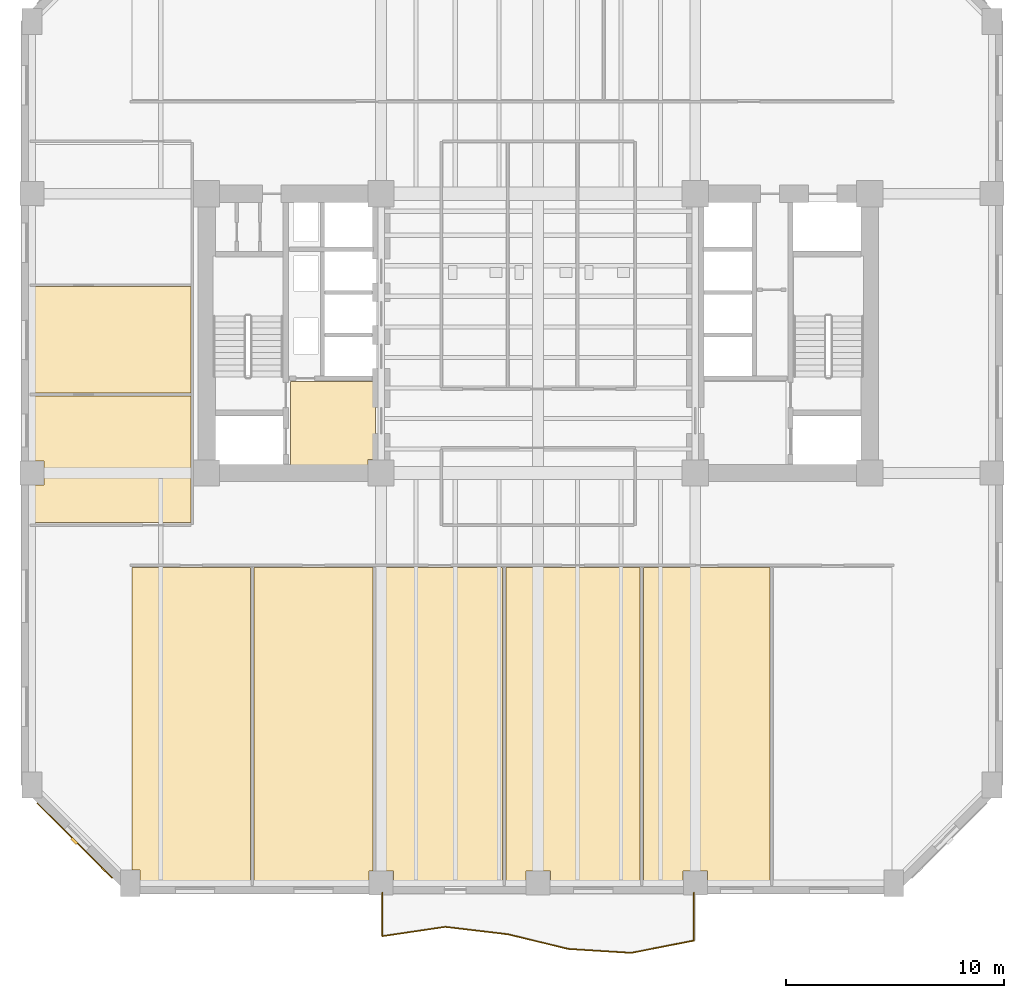
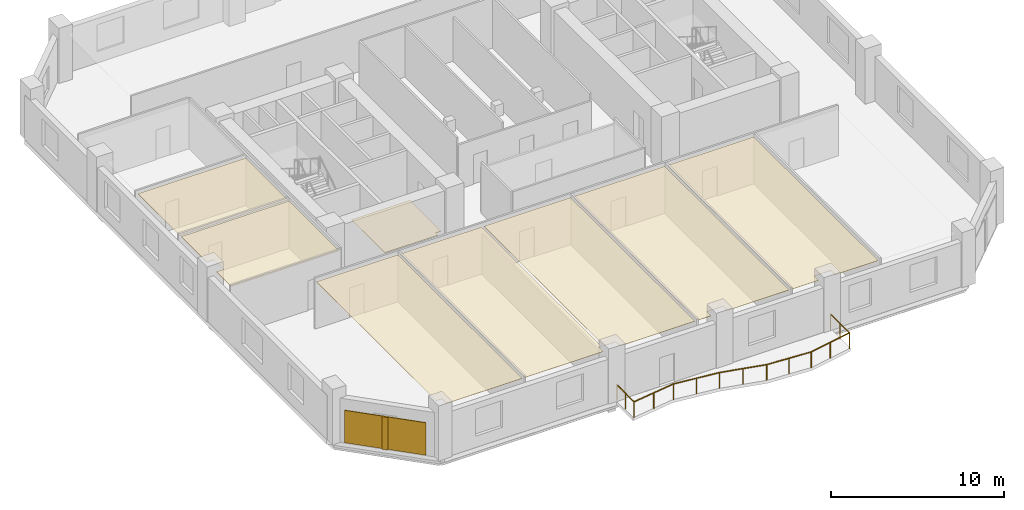
# One storey, part 6 of 10: 9 coverings, 1 railing, 1 shading device.
"""IFC4 building model written with IfcOpenShell, lengths in metres."""

from ifc_helpers import new_model, si_unit, direction, frame, origin, origin_2d, place, context, subcontext, project, spatial, polyline, rectangle, circle, outline, extrude, material, layer, layer_set, type_object, element, save


model = new_model("IFC4")

# Units and contexts
model_context = context("Model", 3, precision=1e-05, world=origin(), true_north=direction((0.0, 1.0)))
body_context = subcontext(model_context, "Body", "Model", "MODEL_VIEW")
ifc_project = project(units=[si_unit("LENGTHUNIT", "METRE"), si_unit("AREAUNIT", "SQUARE_METRE"), si_unit("VOLUMEUNIT", "CUBIC_METRE"), si_unit("PLANEANGLEUNIT", "RADIAN"), si_unit("MASSUNIT", "GRAM", prefix="KILO")], contexts=[model_context])

# Site, building, storey
site_placement = place(None, origin())
site = spatial("IfcSite", under=ifc_project, at=site_placement, CompositionType="ELEMENT")
building_placement = place(site_placement, origin())
building = spatial("IfcBuilding", under=site, at=building_placement, Name="Kranthara Brick Stack", CompositionType="ELEMENT")
storey_placement = place(building_placement, frame((0.0, 0.0, 39.89990234375)))
storey = spatial("IfcBuildingStorey", under=building, at=storey_placement, Name="L09", CompositionType="ELEMENT", Elevation=39.89990234375)

# Coverings
ifc_material_1 = material(Name="Perforated mineral-fibre acoustic ceiling tile", Category="other")
ifc_layer_1 = layer(ifc_material_1, 0.02490234375)
ifc_layer_set_1 = layer_set([ifc_layer_1], Name="Perforated mineral-fibre acoustic ceiling tile")
covering_type_1 = type_object("IfcCoveringType", Name="COV-CEIL-ACOUSTIC", PredefinedType="CEILING", material=ifc_layer_set_1)
covering_1_placement = place(storey_placement, frame((0.0, 0.0, 3.330078125)))
element("IfcCovering", 1, at=covering_1_placement, inside=storey, type_object=covering_type_1, Name="L09 L09 Executive Cellular Office 1 Acoustic Ceiling", PredefinedType="CEILING", context=body_context, shape_type="SweptSolid", body=[
    extrude(outline(polyline([(9.3798828125, 16.47998046875), (14.820068359375, 16.47998046875), (14.820068359375, 2.070068359375), (9.760009765625, 2.070068359375), (9.760009765625, 2.610107421875), (9.3798828125, 2.610107421875), (9.3798828125, 16.47998046875)])), origin(), (0.0, 0.0, 1.0), 0.02490234375),
])
covering_2_placement = place(storey_placement, frame((0.0, 0.0, 3.330078125)))
element("IfcCovering", 2, at=covering_2_placement, inside=storey, type_object=covering_type_1, Name="L09 L09 Executive Cellular Office 2 Acoustic Ceiling", PredefinedType="CEILING", context=body_context, shape_type="SweptSolid", body=[
    extrude(outline(polyline([(14.97998046875, 2.070068359375), (14.97998046875, 16.47998046875), (20.419921875, 16.47998046875), (20.419921875, 2.56005859375), (20.239990234375, 2.56005859375), (20.239990234375, 2.070068359375), (14.97998046875, 2.070068359375)])), origin(), (0.0, 0.0, 1.0), 0.02490234375),
])
covering_3_placement = place(storey_placement, frame((0.0, 0.0, 3.330078125)))
element("IfcCovering", 3, at=covering_3_placement, inside=storey, type_object=covering_type_1, Name="L09 L09 Meeting Room 3 Acoustic Ceiling", PredefinedType="CEILING", context=body_context, shape_type="SweptSolid", body=[
    extrude(outline(polyline([(20.580078125, 16.47998046875), (26.3701171875, 16.47998046875), (26.3701171875, 2.070068359375), (21.360107421875, 2.070068359375), (21.360107421875, 2.56005859375), (20.580078125, 2.56005859375), (20.580078125, 16.47998046875)])), origin(), (0.0, 0.0, 1.0), 0.02490234375),
])
covering_4_placement = place(storey_placement, frame((0.0, 0.0, 3.330078125)))
element("IfcCovering", 4, at=covering_4_placement, inside=storey, type_object=covering_type_1, Name="L09 L09 Meeting Room 4 Acoustic Ceiling", PredefinedType="CEILING", context=body_context, shape_type="SweptSolid", body=[
    extrude(outline(polyline([(26.530029296875, 2.070068359375), (26.530029296875, 16.47998046875), (32.669921875, 16.47998046875), (32.669921875, 2.070068359375), (28.56005859375, 2.070068359375), (28.56005859375, 2.56005859375), (27.43994140625, 2.56005859375), (27.43994140625, 2.070068359375), (26.530029296875, 2.070068359375)])), origin(), (0.0, 0.0, 1.0), 0.02490234375),
])
covering_5_placement = place(storey_placement, frame((0.0, 0.0, 3.330078125)))
element("IfcCovering", 5, at=covering_5_placement, inside=storey, type_object=covering_type_1, Name="L09 L09 Meeting Room 5 Acoustic Ceiling", PredefinedType="CEILING", context=body_context, shape_type="SweptSolid", body=[
    extrude(outline(polyline([(32.830078125, 2.070068359375), (32.830078125, 16.47998046875), (38.6201171875, 16.47998046875), (38.6201171875, 2.070068359375), (35.760009765625, 2.070068359375), (35.760009765625, 2.56005859375), (34.639892578125, 2.56005859375), (34.639892578125, 2.070068359375), (32.830078125, 2.070068359375)])), origin(), (0.0, 0.0, 1.0), 0.02490234375),
])
covering_6_placement = place(storey_placement, frame((0.0, 0.0, 3.330078125)))
element("IfcCovering", 6, at=covering_6_placement, inside=storey, type_object=covering_type_1, Name="L09 L09 West Executive Office 1 Acoustic Ceiling", PredefinedType="CEILING", context=body_context, shape_type="SweptSolid", body=[
    extrude(outline(polyline([(4.8701171875, 24.340087890625), (12.080078125, 24.340087890625), (12.080078125, 18.5400390625), (4.8701171875, 18.5400390625), (4.8701171875, 20.239990234375), (5.360107421875, 20.239990234375), (5.360107421875, 21.360107421875), (4.8701171875, 21.360107421875), (4.8701171875, 24.340087890625)])), origin(), (0.0, 0.0, 1.0), 0.02490234375),
])
covering_7_placement = place(storey_placement, frame((0.0, 0.0, 3.330078125)))
element("IfcCovering", 7, at=covering_7_placement, inside=storey, type_object=covering_type_1, Name="L09 L09 West Executive Office 2 Acoustic Ceiling", PredefinedType="CEILING", context=body_context, shape_type="SweptSolid", body=[
    extrude(outline(polyline([(12.080078125, 24.4599609375), (12.080078125, 29.340087890625), (4.8701171875, 29.340087890625), (4.8701171875, 24.4599609375), (12.080078125, 24.4599609375)])), origin(), (0.0, 0.0, 1.0), 0.02490234375),
])
ifc_material_2 = material(Name="Warm buff kiln-fired brick slip rainscreen", Category="masonry")
ifc_layer_2 = layer(ifc_material_2, 0.044921875)
ifc_layer_set_2 = layer_set([ifc_layer_2], Name="Warm buff kiln-fired brick slip rainscreen")
covering_type_2 = type_object("IfcCoveringType", Name="COV-CLAD-BRICK", PredefinedType="CLADDING", material=ifc_layer_set_2)
covering_8_placement = place(storey_placement, frame((6.756591796875, 3.95654296875, 0.05029296875), z_axis=(0.0, 0.0, 1.0), x_axis=(-0.707106781187, 0.707106781187, 0.0)))
element("IfcCovering", 8, at=covering_8_placement, inside=storey, type_object=covering_type_2, Name="L09 Chamfer Brick Rainscreen Cladding SW", PredefinedType="CLADDING", context=body_context, shape_type="SweptSolid", body=[
    extrude(rectangle(XDim=4.876953125, YDim=0.044921875, at=origin_2d()), origin(), (0.0, 0.0, 1.0), 2.300048828125),
])
ifc_material_3 = material(Name="Honed terrazzo and porcelain floor finish", Category="stone")
ifc_layer_3 = layer(ifc_material_3, 0.030029296875)
ifc_layer_set_3 = layer_set([ifc_layer_3], Name="Honed terrazzo and porcelain floor finish")
covering_type_3 = type_object("IfcCoveringType", Name="COV-FLOR-STONE", PredefinedType="FLOORING", material=ifc_layer_set_3)
covering_9_placement = place(storey_placement, origin())
element("IfcCovering", 9, at=covering_9_placement, inside=storey, type_object=covering_type_3, Name="L09 Lift Lobby Stone Flooring", PredefinedType="FLOORING", context=body_context, shape_type="SweptSolid", body=[
    extrude(outline(polyline([(16.64990234375, 21.14990234375), (16.64990234375, 25.0), (20.550048828125, 25.0), (20.550048828125, 21.409912109375), (20.18994140625, 21.409912109375), (20.18994140625, 21.14990234375), (16.64990234375, 21.14990234375)])), origin(), (0.0, 0.0, 1.0), 0.030029296875),
])

# Railing
ifc_material_4 = material(Name="Bronze anodised aluminium and laminated glass balustrade", Category="aluminium")
railing_type = type_object("IfcRailingType", Name="RL-BALC-1120", PredefinedType="BALUSTRADE", material=ifc_material_4)
railing_placement = place(storey_placement, frame((35.139892578125, 1.56005859375, 0.0)))
element("IfcRailing", 10, at=railing_placement, inside=storey, type_object=railing_type, Name="L09 South Rippling Balcony Balustrade", PredefinedType="BALUSTRADE", context=body_context, shape_type="SweptSolid", body=[
    extrude(circle(Radius=0.02392578125, at=origin_2d()), frame((0.0, 0.0, 1.09619140625), z_axis=(0.000111433028, -0.999999993791, 0.0), x_axis=(0.999999993791, 0.000111433028, 0.0)), (0.0, 0.0, 1.0), 2.19091796875),
    extrude(circle(Radius=0.02392578125, at=origin_2d()), frame((0.000244140625, -2.19091796875, 1.09619140625), z_axis=(-0.981385492835, -0.192048208667, 0.0), x_axis=(0.192048208667, -0.981385492835, 0.0)), (0.0, 0.0, 1.0), 2.932861328125),
    extrude(circle(Radius=0.02392578125, at=origin_2d()), frame((-2.8779296875, -2.754150390625, 1.09619140625), z_axis=(-0.998058846195, 0.062277921713, 0.0), x_axis=(-0.062277921713, -0.998058846195, 0.0)), (0.0, 0.0, 1.0), 2.87744140625),
    extrude(circle(Radius=0.02392578125, at=origin_2d()), frame((-5.749755859375, -2.574951171875, 1.09619140625), z_axis=(-0.971923726442, 0.235296132522, 0.0), x_axis=(-0.235296132522, -0.971923726442, 0.0)), (0.0, 0.0, 1.0), 2.851318359375),
    extrude(circle(Radius=0.02392578125, at=origin_2d()), frame((-8.52099609375, -1.904052734375, 1.09619140625), z_axis=(-0.99303573709, 0.117813517316, 0.0), x_axis=(-0.117813517316, -0.99303573709, 0.0)), (0.0, 0.0, 1.0), 2.899169921875),
    extrude(circle(Radius=0.02392578125, at=origin_2d()), frame((-11.39990234375, -1.5625, 1.09619140625), z_axis=(-0.989212014784, -0.146490920558, 0.0), x_axis=(0.146490920558, -0.989212014784, 0.0)), (0.0, 0.0, 1.0), 2.91162109375),
    extrude(circle(Radius=0.02392578125, at=origin_2d()), frame((-14.280029296875, -1.989013671875, 1.09619140625), z_axis=(0.000122744568, 0.999999992467, 0.0), x_axis=(-0.999999992467, 0.000122744568, 0.0)), (0.0, 0.0, 1.0), 1.989013671875),
    extrude(circle(Radius=0.02099609375, at=origin_2d()), origin(), (0.0, 0.0, 1.0), 1.072021484375),
    extrude(circle(Radius=0.02099609375, at=origin_2d()), frame((0.0, -1.095458984375, 0.0)), (0.0, 0.0, 1.0), 1.072021484375),
    extrude(circle(Radius=0.02099609375, at=origin_2d()), frame((0.000244140625, -2.19091796875, 0.0)), (0.0, 0.0, 1.0), 1.072021484375),
    extrude(circle(Radius=0.02099609375, at=origin_2d()), frame((-1.43896484375, -2.47265625, 0.0)), (0.0, 0.0, 1.0), 1.072021484375),
    extrude(circle(Radius=0.02099609375, at=origin_2d()), frame((-2.8779296875, -2.754150390625, 0.0)), (0.0, 0.0, 1.0), 1.072021484375),
    extrude(circle(Radius=0.02099609375, at=origin_2d()), frame((-4.31396484375, -2.66455078125, 0.0)), (0.0, 0.0, 1.0), 1.072021484375),
    extrude(circle(Radius=0.02099609375, at=origin_2d()), frame((-5.749755859375, -2.574951171875, 0.0)), (0.0, 0.0, 1.0), 1.072021484375),
    extrude(circle(Radius=0.02099609375, at=origin_2d()), frame((-7.13525390625, -2.239501953125, 0.0)), (0.0, 0.0, 1.0), 1.072021484375),
    extrude(circle(Radius=0.02099609375, at=origin_2d()), frame((-8.52099609375, -1.904052734375, 0.0)), (0.0, 0.0, 1.0), 1.072021484375),
    extrude(circle(Radius=0.02099609375, at=origin_2d()), frame((-9.96044921875, -1.7333984375, 0.0)), (0.0, 0.0, 1.0), 1.072021484375),
    extrude(circle(Radius=0.02099609375, at=origin_2d()), frame((-11.39990234375, -1.5625, 0.0)), (0.0, 0.0, 1.0), 1.072021484375),
    extrude(circle(Radius=0.02099609375, at=origin_2d()), frame((-12.83984375, -1.77587890625, 0.0)), (0.0, 0.0, 1.0), 1.072021484375),
    extrude(circle(Radius=0.02099609375, at=origin_2d()), frame((-14.280029296875, -1.989013671875, 0.0)), (0.0, 0.0, 1.0), 1.072021484375),
    extrude(circle(Radius=0.02099609375, at=origin_2d()), frame((-14.27978515625, -0.99462890625, 0.0)), (0.0, 0.0, 1.0), 1.072021484375),
    extrude(circle(Radius=0.02099609375, at=origin_2d()), frame((-14.27978515625, 0.0, 0.0)), (0.0, 0.0, 1.0), 1.072021484375),
])

# Shading device
ifc_material_5 = material(Name="Kiln-fired terracotta aerodynamic wind fin", Category="masonry")
shading_device_type = type_object("IfcShadingDeviceType", Name="SHD-BAFFLE-CORNER", PredefinedType="SHUTTER", material=ifc_material_5)
shading_device_placement = place(storey_placement, frame((6.7353515625, 3.935302734375, 0.05029296875), z_axis=(0.0, 0.0, 1.0), x_axis=(-0.707106781187, 0.707106781187, 0.0)))
element("IfcShadingDevice", 11, at=shading_device_placement, inside=storey, type_object=shading_device_type, Name="L09 Chamfer Wind-Baffle Fin SW", PredefinedType="SHUTTER", context=body_context, shape_type="SweptSolid", body=[
    extrude(rectangle(XDim=0.35009765625, YDim=0.1201171875, at=origin_2d()), origin(), (0.0, 0.0, 1.0), 2.300048828125),
])

save(model, "model.ifc")
